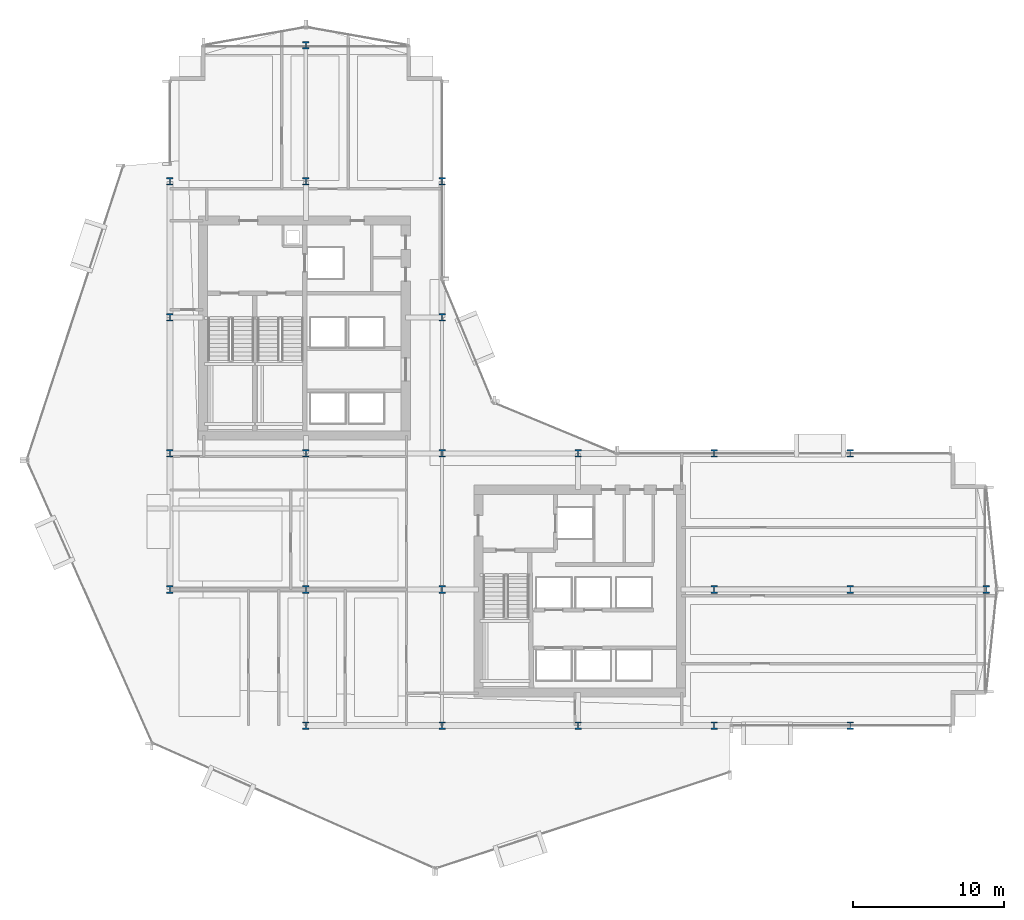
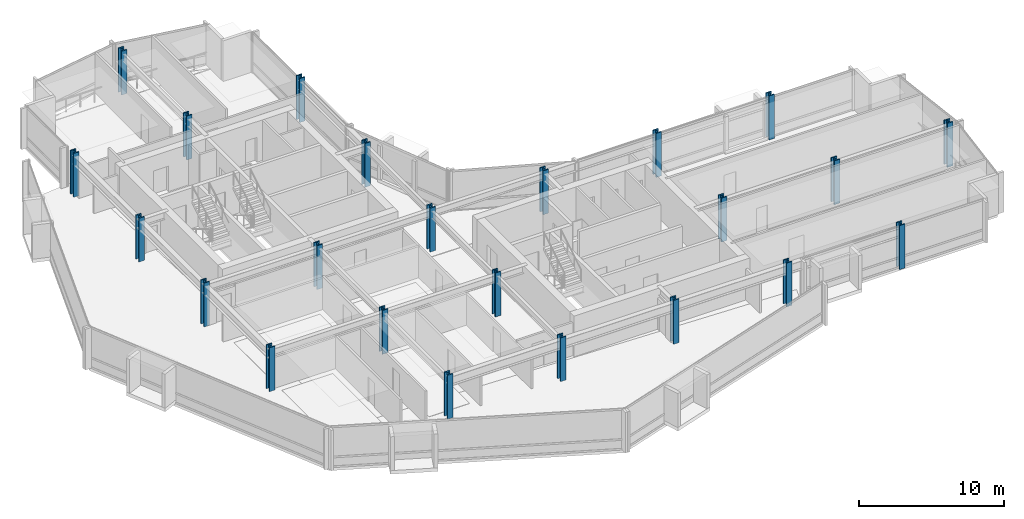
# One storey, part 1 of 34: 23 columns.
"""IFC4 building model written with IfcOpenShell, lengths in metres."""

from ifc_helpers import new_model, si_unit, direction, frame, origin, origin_2d, place, context, subcontext, project, spatial, i_section, extrude, material, material_profile, profile_set, type_object, element, save


model = new_model("IFC4")

# Units and contexts
model_context = context("Model", 3, precision=1e-05, world=origin(), true_north=direction((0.0, 1.0)))
body_context = subcontext(model_context, "Body", "Model", "MODEL_VIEW")
ifc_project = project(units=[si_unit("LENGTHUNIT", "METRE"), si_unit("AREAUNIT", "SQUARE_METRE"), si_unit("VOLUMEUNIT", "CUBIC_METRE"), si_unit("PLANEANGLEUNIT", "RADIAN"), si_unit("MASSUNIT", "GRAM", prefix="KILO")], contexts=[model_context])

# Site, building, storey
site_placement = place(None, origin())
site = spatial("IfcSite", under=ifc_project, at=site_placement, CompositionType="ELEMENT")
building_placement = place(site_placement, origin())
building = spatial("IfcBuilding", under=site, at=building_placement, Name="Solvaryn Broadcast Tower", CompositionType="ELEMENT")
storey_placement = place(building_placement, frame((0.0, 0.0, 50.800048828125)))
storey = spatial("IfcBuildingStorey", under=building, at=storey_placement, Name="L11", CompositionType="ELEMENT", Elevation=50.800048828125)

# Columns
ifc_material_1 = material(Name="Steel ASTM A913 Grade 65", Category="steel")
ifc_material_profile_1 = material_profile(ifc_material_1, i_section(OverallWidth=0.431884765625, OverallDepth=0.498046875, WebThickness=0.0556640625, FlangeThickness=0.0888671875, FilletRadius=0.014892578125, at=origin_2d()))
ifc_profile_set_1 = profile_set([ifc_material_profile_1], Name="Steel ASTM A913 Grade 65")
column_type_1 = type_object("IfcColumnType", Name="COL-C03E-W14X500", PredefinedType="COLUMN", material=ifc_profile_set_1)
for number, where, z_axis, x_axis, name in (
    (1, (9.0, 18.0, 0.0), (0.0, 0.0, 1.0), (1.0, 0.0, 0.0), "L11 Column (9.0, 18.0)"),
    (2, (9.0, 27.0, 0.0), (0.0, 0.0, 1.0), (1.0, 0.0, 0.0), "L11 Column (9.0, 27.0)"),
    (3, (9.0, 36.0, 0.0), (0.0, 0.0, 1.0), (1.0, 0.0, 0.0), "L11 Column (9.0, 36.0)"),
    (4, (9.0, 45.0, 0.0), (0.0, 0.0, 1.0), (1.0, 0.0, 0.0), "L11 Column (9.0, 45.0)"),
    (5, (18.0, 9.0, 0.0), (0.0, 0.0, 1.0), (1.0, 0.0, 0.0), "L11 Column (18.0, 9.0)"),
    (6, (18.0, 54.0, 0.0), (0.0, 0.0, 1.0), (1.0, 0.0, 0.0), "L11 Column (18.0, 54.0)"),
    (7, (27.0, 9.0, 0.0), (0.0, 0.0, 1.0), (1.0, 0.0, 0.0), "L11 Column (27.0, 9.0)"),
    (8, (27.0, 36.0, 0.0), (0.0, 0.0, 1.0), (1.0, 0.0, 0.0), "L11 Column (27.0, 36.0)"),
    (9, (27.0, 45.0, 0.0), (0.0, 0.0, 1.0), (1.0, 0.0, 0.0), "L11 Column (27.0, 45.0)"),
    (10, (36.0, 9.0, 0.0), (0.0, 0.0, 1.0), (1.0, 0.0, 0.0), "L11 Column (36.0, 9.0)"),
    (11, (36.0, 27.0, 0.0), (0.0, 0.0, 1.0), (1.0, 0.0, 0.0), "L11 Column (36.0, 27.0)"),
    (12, (45.0, 9.0, 0.0), (0.0, 0.0, 1.0), (1.0, 0.0, 0.0), "L11 Column (45.0, 9.0)"),
    (13, (45.0, 27.0, 0.0), (0.0, 0.0, 1.0), (1.0, 0.0, 0.0), "L11 Column (45.0, 27.0)"),
    (14, (54.0, 9.0, 0.0), (0.0, 0.0, 1.0), (1.0, 0.0, 0.0), "L11 Column (54.0, 9.0)"),
    (15, (54.0, 27.0, 0.0), (0.0, 0.0, 1.0), (1.0, 0.0, 0.0), "L11 Column (54.0, 27.0)"),
    (16, (63.0, 18.0, 0.0), (0.0, 0.0, 1.0), (1.0, 0.0, 0.0), "L11 Column (63.0, 18.0)"),
):
    element("IfcColumn", number, at=place(storey_placement, frame(where, z_axis=z_axis, x_axis=x_axis)), inside=storey, type_object=column_type_1, Name=name, PredefinedType="COLUMN", context=body_context, shape_type="SweptSolid", body=[
        extrude(i_section(OverallWidth=0.431884765625, OverallDepth=0.498046875, WebThickness=0.0556640625, FlangeThickness=0.0888671875, FilletRadius=0.014892578125, at=origin_2d()), origin(), (0.0, 0.0, 1.0), 3.699951171875),
    ])
ifc_material_2 = material(Name="Steel ASTM A913 Grade 65", Category="steel")
ifc_material_profile_2 = material_profile(ifc_material_2, i_section(OverallWidth=0.431884765625, OverallDepth=0.498046875, WebThickness=0.0556640625, FlangeThickness=0.0888671875, FilletRadius=0.014892578125, at=origin_2d()))
ifc_profile_set_2 = profile_set([ifc_material_profile_2], Name="Steel ASTM A913 Grade 65")
column_type_2 = type_object("IfcColumnType", Name="COL-C03I-W14X500", PredefinedType="COLUMN", material=ifc_profile_set_2)
for number, where, z_axis, x_axis, name in (
    (17, (18.0, 18.0, 0.0), (0.0, 0.0, 1.0), (1.0, 0.0, 0.0), "L11 Column (18.0, 18.0)"),
    (18, (18.0, 27.0, 0.0), (0.0, 0.0, 1.0), (1.0, 0.0, 0.0), "L11 Column (18.0, 27.0)"),
    (19, (18.0, 45.0, 0.0), (0.0, 0.0, 1.0), (1.0, 0.0, 0.0), "L11 Column (18.0, 45.0)"),
    (20, (27.0, 18.0, 0.0), (0.0, 0.0, 1.0), (1.0, 0.0, 0.0), "L11 Column (27.0, 18.0)"),
    (21, (27.0, 27.0, 0.0), (0.0, 0.0, 1.0), (1.0, 0.0, 0.0), "L11 Column (27.0, 27.0)"),
    (22, (45.0, 18.0, 0.0), (0.0, 0.0, 1.0), (1.0, 0.0, 0.0), "L11 Column (45.0, 18.0)"),
    (23, (54.0, 18.0, 0.0), (0.0, 0.0, 1.0), (1.0, 0.0, 0.0), "L11 Column (54.0, 18.0)"),
):
    element("IfcColumn", number, at=place(storey_placement, frame(where, z_axis=z_axis, x_axis=x_axis)), inside=storey, type_object=column_type_2, Name=name, PredefinedType="COLUMN", context=body_context, shape_type="SweptSolid", body=[
        extrude(i_section(OverallWidth=0.431884765625, OverallDepth=0.498046875, WebThickness=0.0556640625, FlangeThickness=0.0888671875, FilletRadius=0.014892578125, at=origin_2d()), origin(), (0.0, 0.0, 1.0), 3.699951171875),
    ])

save(model, "model.ifc")
